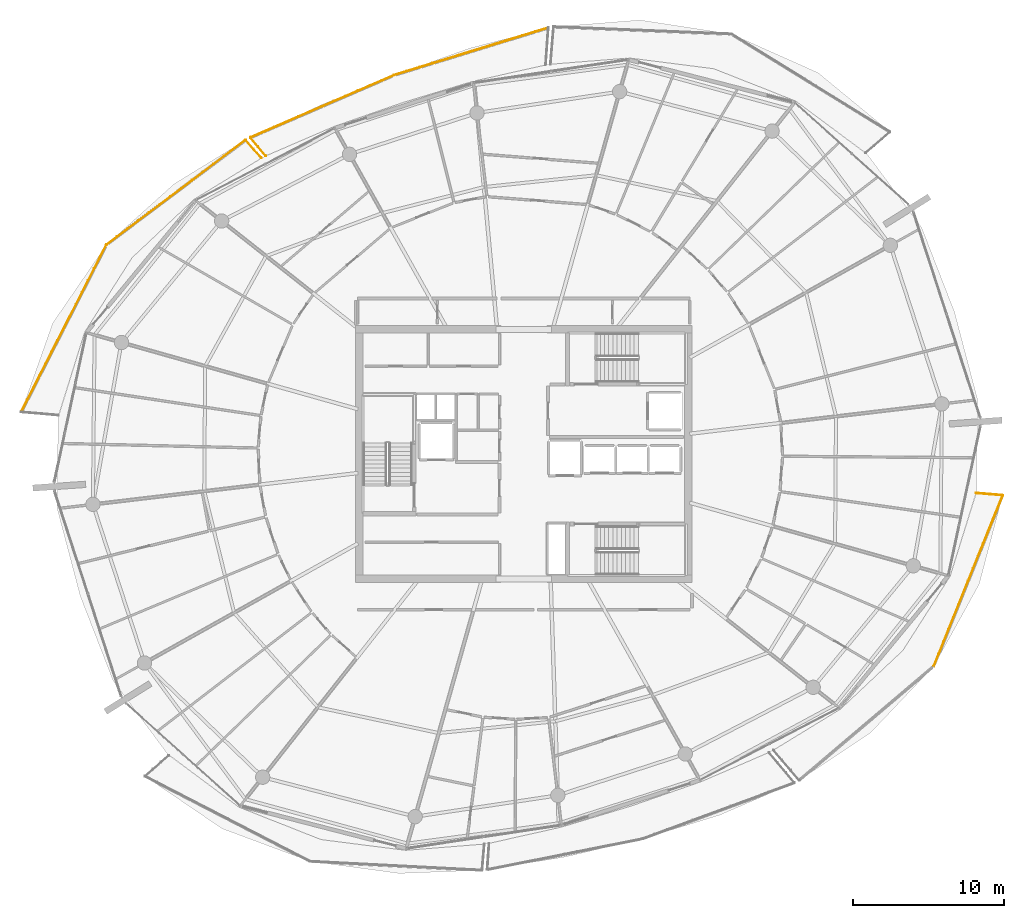
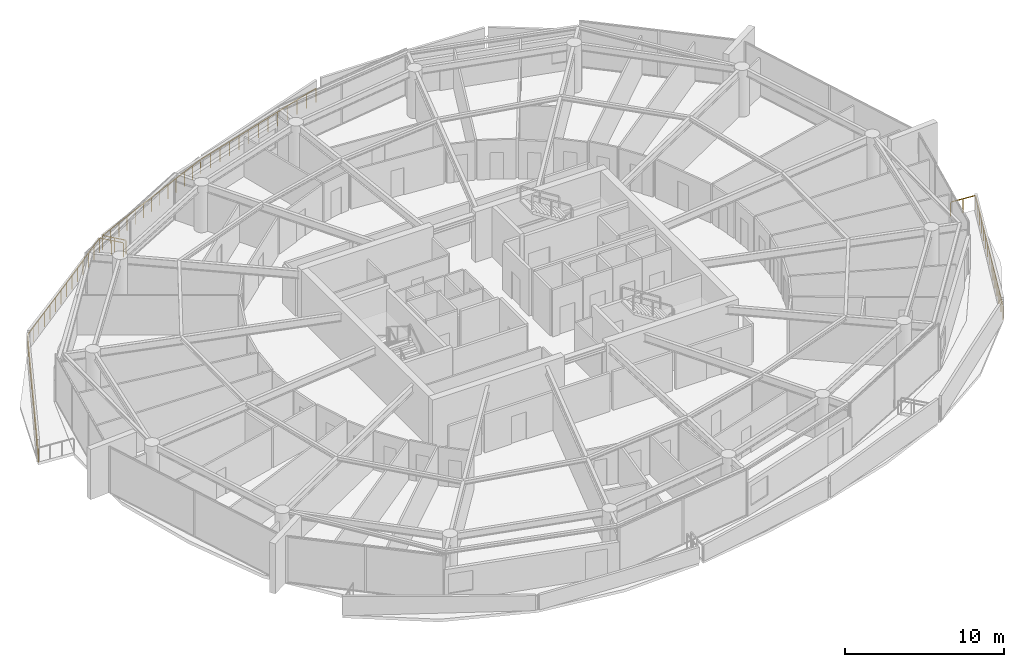
# One storey, part 27 of 29: 8 railings.
"""IFC4 building model written with IfcOpenShell, lengths in metres."""

from ifc_helpers import new_model, si_unit, direction, frame, origin, origin_2d, place, context, subcontext, project, spatial, rectangle, extrude, material, type_object, element, save


model = new_model("IFC4")

# Units and contexts
model_context = context("Model", 3, precision=1e-05, world=origin(), true_north=direction((0.0, 1.0)))
body_context = subcontext(model_context, "Body", "Model", "MODEL_VIEW")
ifc_project = project(units=[si_unit("LENGTHUNIT", "METRE"), si_unit("AREAUNIT", "SQUARE_METRE"), si_unit("VOLUMEUNIT", "CUBIC_METRE"), si_unit("PLANEANGLEUNIT", "RADIAN"), si_unit("MASSUNIT", "GRAM", prefix="KILO")], contexts=[model_context])

# Site, building, storey
site_placement = place(None, origin())
site = spatial("IfcSite", under=ifc_project, at=site_placement, CompositionType="ELEMENT")
building_placement = place(site_placement, origin())
building = spatial("IfcBuilding", under=site, at=building_placement, Name="Kazma Halo Residences", CompositionType="ELEMENT")
storey_placement = place(building_placement, frame((0.0, 0.0, 286.75)))
storey = spatial("IfcBuildingStorey", under=building, at=storey_placement, Name="L72", CompositionType="ELEMENT", Elevation=286.75)

# Railings
ifc_material = material(Name="Aluminium AW-6063 T6 Brushed Cap Rail", Category="aluminium")
railing_type = type_object("IfcRailingType", Name="RLG-BAL-CAP-1120", PredefinedType="BALUSTRADE", material=ifc_material)
railing_1_placement = place(storey_placement, frame((50.046630859375, 70.205810546875, 0.0)))
element("IfcRailing", 1, at=railing_1_placement, inside=storey, type_object=railing_type, Name="L72 NNW wave balcony guard 2", PredefinedType="BALUSTRADE", context=body_context, shape_type="SweptSolid", body=[
    extrude(rectangle(XDim=0.050048828125, YDim=0.050048828125, at=origin_2d()), frame((-0.040771484375, -0.012451171875, 1.09521484375), z_axis=(-0.955886857424, -0.293735111629, 0.0), x_axis=(0.293735111629, -0.955886857424, 0.0)), (0.0, 0.0, 1.0), 10.57861328125),
    extrude(rectangle(XDim=0.0400390625, YDim=0.0400390625, at=origin_2d()), origin(), (0.0, 0.0, 1.0), 1.05810546875),
    extrude(rectangle(XDim=0.0400390625, YDim=0.0400390625, at=origin_2d()), frame((-0.849365234375, -0.260986328125, 0.0)), (0.0, 0.0, 1.0), 1.05810546875),
    extrude(rectangle(XDim=0.0400390625, YDim=0.0400390625, at=origin_2d()), frame((-1.698974609375, -0.52197265625, 0.0)), (0.0, 0.0, 1.0), 1.05810546875),
    extrude(rectangle(XDim=0.0400390625, YDim=0.0400390625, at=origin_2d()), frame((-2.54833984375, -0.783203125, 0.0)), (0.0, 0.0, 1.0), 1.05810546875),
    extrude(rectangle(XDim=0.0400390625, YDim=0.0400390625, at=origin_2d()), frame((-3.397705078125, -1.044189453125, 0.0)), (0.0, 0.0, 1.0), 1.05810546875),
    extrude(rectangle(XDim=0.0400390625, YDim=0.0400390625, at=origin_2d()), frame((-4.247314453125, -1.30517578125, 0.0)), (0.0, 0.0, 1.0), 1.05810546875),
    extrude(rectangle(XDim=0.0400390625, YDim=0.0400390625, at=origin_2d()), frame((-5.0966796875, -1.566162109375, 0.0)), (0.0, 0.0, 1.0), 1.05810546875),
    extrude(rectangle(XDim=0.0400390625, YDim=0.0400390625, at=origin_2d()), frame((-5.946044921875, -1.8271484375, 0.0)), (0.0, 0.0, 1.0), 1.05810546875),
    extrude(rectangle(XDim=0.0400390625, YDim=0.0400390625, at=origin_2d()), frame((-6.795654296875, -2.088134765625, 0.0)), (0.0, 0.0, 1.0), 1.05810546875),
    extrude(rectangle(XDim=0.0400390625, YDim=0.0400390625, at=origin_2d()), frame((-7.64501953125, -2.34912109375, 0.0)), (0.0, 0.0, 1.0), 1.05810546875),
    extrude(rectangle(XDim=0.0400390625, YDim=0.0400390625, at=origin_2d()), frame((-8.494384765625, -2.6103515625, 0.0)), (0.0, 0.0, 1.0), 1.05810546875),
    extrude(rectangle(XDim=0.0400390625, YDim=0.0400390625, at=origin_2d()), frame((-9.343994140625, -2.871337890625, 0.0)), (0.0, 0.0, 1.0), 1.05810546875),
    extrude(rectangle(XDim=0.0400390625, YDim=0.0400390625, at=origin_2d()), frame((-10.193359375, -3.13232421875, 0.0)), (0.0, 0.0, 1.0), 1.05810546875),
])
railing_2_placement = place(storey_placement, frame((39.853271484375, 67.073486328125, 0.0)))
element("IfcRailing", 2, at=railing_2_placement, inside=storey, type_object=railing_type, Name="L72 NNW wave balcony guard 3", PredefinedType="BALUSTRADE", context=body_context, shape_type="SweptSolid", body=[
    extrude(rectangle(XDim=0.050048828125, YDim=0.050048828125, at=origin_2d()), frame((-0.0390625, -0.016845703125, 1.09521484375), z_axis=(-0.917370135076, -0.398035218632, 0.0), x_axis=(0.398035218632, -0.917370135076, 0.0)), (0.0, 0.0, 1.0), 10.29248046875),
    extrude(rectangle(XDim=0.0400390625, YDim=0.0400390625, at=origin_2d()), origin(), (0.0, 0.0, 1.0), 1.05810546875),
    extrude(rectangle(XDim=0.0400390625, YDim=0.0400390625, at=origin_2d()), frame((-0.79345703125, -0.34423828125, 0.0)), (0.0, 0.0, 1.0), 1.05810546875),
    extrude(rectangle(XDim=0.0400390625, YDim=0.0400390625, at=origin_2d()), frame((-1.586669921875, -0.6884765625, 0.0)), (0.0, 0.0, 1.0), 1.05810546875),
    extrude(rectangle(XDim=0.0400390625, YDim=0.0400390625, at=origin_2d()), frame((-2.3798828125, -1.03271484375, 0.0)), (0.0, 0.0, 1.0), 1.05810546875),
    extrude(rectangle(XDim=0.0400390625, YDim=0.0400390625, at=origin_2d()), frame((-3.17333984375, -1.376953125, 0.0)), (0.0, 0.0, 1.0), 1.05810546875),
    extrude(rectangle(XDim=0.0400390625, YDim=0.0400390625, at=origin_2d()), frame((-3.966796875, -1.72119140625, 0.0)), (0.0, 0.0, 1.0), 1.05810546875),
    extrude(rectangle(XDim=0.0400390625, YDim=0.0400390625, at=origin_2d()), frame((-4.760009765625, -2.0654296875, 0.0)), (0.0, 0.0, 1.0), 1.05810546875),
    extrude(rectangle(XDim=0.0400390625, YDim=0.0400390625, at=origin_2d()), frame((-5.55322265625, -2.409423828125, 0.0)), (0.0, 0.0, 1.0), 1.05810546875),
    extrude(rectangle(XDim=0.0400390625, YDim=0.0400390625, at=origin_2d()), frame((-6.3466796875, -2.753662109375, 0.0)), (0.0, 0.0, 1.0), 1.05810546875),
    extrude(rectangle(XDim=0.0400390625, YDim=0.0400390625, at=origin_2d()), frame((-7.14013671875, -3.097900390625, 0.0)), (0.0, 0.0, 1.0), 1.05810546875),
    extrude(rectangle(XDim=0.0400390625, YDim=0.0400390625, at=origin_2d()), frame((-7.933349609375, -3.442138671875, 0.0)), (0.0, 0.0, 1.0), 1.05810546875),
    extrude(rectangle(XDim=0.0400390625, YDim=0.0400390625, at=origin_2d()), frame((-8.7265625, -3.786376953125, 0.0)), (0.0, 0.0, 1.0), 1.05810546875),
    extrude(rectangle(XDim=0.0400390625, YDim=0.0400390625, at=origin_2d()), frame((-9.52001953125, -4.130615234375, 0.0)), (0.0, 0.0, 1.0), 1.05810546875),
])
railing_3_placement = place(storey_placement, frame((30.333251953125, 62.94287109375, 0.0)))
element("IfcRailing", 3, at=railing_3_placement, inside=storey, type_object=railing_type, Name="L72 NNW wave balcony guard 4", PredefinedType="BALUSTRADE", context=body_context, shape_type="SweptSolid", body=[
    extrude(rectangle(XDim=0.050048828125, YDim=0.050048828125, at=origin_2d()), frame((0.02734375, -0.032470703125, 1.09521484375), z_axis=(0.644823146011, -0.764331806461, 0.0), x_axis=(0.764331806461, 0.644823146011, 0.0)), (0.0, 0.0, 1.0), 1.500244140625),
    extrude(rectangle(XDim=0.0400390625, YDim=0.0400390625, at=origin_2d()), origin(), (0.0, 0.0, 1.0), 1.05810546875),
    extrude(rectangle(XDim=0.0400390625, YDim=0.0400390625, at=origin_2d()), frame((0.51123046875, -0.60595703125, 0.0)), (0.0, 0.0, 1.0), 1.05810546875),
    extrude(rectangle(XDim=0.0400390625, YDim=0.0400390625, at=origin_2d()), frame((1.022216796875, -1.211669921875, 0.0)), (0.0, 0.0, 1.0), 1.05810546875),
])
railing_4_placement = place(storey_placement, frame((31.06787109375, 61.58154296875, 0.0)))
element("IfcRailing", 4, at=railing_4_placement, inside=storey, type_object=railing_type, Name="L72 NW wave balcony guard 1", PredefinedType="BALUSTRADE", context=body_context, shape_type="SweptSolid", body=[
    extrude(rectangle(XDim=0.050048828125, YDim=0.050048828125, at=origin_2d()), frame((-0.02783203125, 0.0322265625, 1.09521484375), z_axis=(-0.654135317285, 0.756377542422, 0.0), x_axis=(-0.756377542422, -0.654135317285, 0.0)), (0.0, 0.0, 1.0), 1.505126953125),
    extrude(rectangle(XDim=0.0400390625, YDim=0.0400390625, at=origin_2d()), origin(), (0.0, 0.0, 1.0), 1.05810546875),
    extrude(rectangle(XDim=0.0400390625, YDim=0.0400390625, at=origin_2d()), frame((-0.52001953125, 0.6015625, 0.0)), (0.0, 0.0, 1.0), 1.05810546875),
    extrude(rectangle(XDim=0.0400390625, YDim=0.0400390625, at=origin_2d()), frame((-1.040283203125, 1.202880859375, 0.0)), (0.0, 0.0, 1.0), 1.05810546875),
])
railing_5_placement = place(storey_placement, frame((30.027587890625, 62.784423828125, 0.0)))
element("IfcRailing", 5, at=railing_5_placement, inside=storey, type_object=railing_type, Name="L72 NW wave balcony guard 2", PredefinedType="BALUSTRADE", context=body_context, shape_type="SweptSolid", body=[
    extrude(rectangle(XDim=0.050048828125, YDim=0.050048828125, at=origin_2d()), frame((-0.033935546875, -0.025634765625, 1.09521484375), z_axis=(-0.799153154591, -0.601127470265, 0.0), x_axis=(0.601127470265, -0.799153154591, 0.0)), (0.0, 0.0, 1.0), 11.446044921875),
    extrude(rectangle(XDim=0.0400390625, YDim=0.0400390625, at=origin_2d()), origin(), (0.0, 0.0, 1.0), 1.05810546875),
    extrude(rectangle(XDim=0.0400390625, YDim=0.0400390625, at=origin_2d()), frame((-0.708740234375, -0.533203125, 0.0)), (0.0, 0.0, 1.0), 1.05810546875),
    extrude(rectangle(XDim=0.0400390625, YDim=0.0400390625, at=origin_2d()), frame((-1.417724609375, -1.06640625, 0.0)), (0.0, 0.0, 1.0), 1.05810546875),
    extrude(rectangle(XDim=0.0400390625, YDim=0.0400390625, at=origin_2d()), frame((-2.12646484375, -1.599609375, 0.0)), (0.0, 0.0, 1.0), 1.05810546875),
    extrude(rectangle(XDim=0.0400390625, YDim=0.0400390625, at=origin_2d()), frame((-2.83544921875, -2.1328125, 0.0)), (0.0, 0.0, 1.0), 1.05810546875),
    extrude(rectangle(XDim=0.0400390625, YDim=0.0400390625, at=origin_2d()), frame((-3.544189453125, -2.666015625, 0.0)), (0.0, 0.0, 1.0), 1.05810546875),
    extrude(rectangle(XDim=0.0400390625, YDim=0.0400390625, at=origin_2d()), frame((-4.253173828125, -3.19921875, 0.0)), (0.0, 0.0, 1.0), 1.05810546875),
    extrude(rectangle(XDim=0.0400390625, YDim=0.0400390625, at=origin_2d()), frame((-4.9619140625, -3.732421875, 0.0)), (0.0, 0.0, 1.0), 1.05810546875),
    extrude(rectangle(XDim=0.0400390625, YDim=0.0400390625, at=origin_2d()), frame((-5.6708984375, -4.265625, 0.0)), (0.0, 0.0, 1.0), 1.05810546875),
    extrude(rectangle(XDim=0.0400390625, YDim=0.0400390625, at=origin_2d()), frame((-6.379638671875, -4.798828125, 0.0)), (0.0, 0.0, 1.0), 1.05810546875),
    extrude(rectangle(XDim=0.0400390625, YDim=0.0400390625, at=origin_2d()), frame((-7.088623046875, -5.33203125, 0.0)), (0.0, 0.0, 1.0), 1.05810546875),
    extrude(rectangle(XDim=0.0400390625, YDim=0.0400390625, at=origin_2d()), frame((-7.79736328125, -5.865234375, 0.0)), (0.0, 0.0, 1.0), 1.05810546875),
    extrude(rectangle(XDim=0.0400390625, YDim=0.0400390625, at=origin_2d()), frame((-8.50634765625, -6.3984375, 0.0)), (0.0, 0.0, 1.0), 1.05810546875),
    extrude(rectangle(XDim=0.0400390625, YDim=0.0400390625, at=origin_2d()), frame((-9.215087890625, -6.931640625, 0.0)), (0.0, 0.0, 1.0), 1.05810546875),
])
railing_6_placement = place(storey_placement, frame((20.8125, 55.852783203125, 0.0)))
element("IfcRailing", 6, at=railing_6_placement, inside=storey, type_object=railing_type, Name="L72 NW wave balcony guard 3", PredefinedType="BALUSTRADE", context=body_context, shape_type="SweptSolid", body=[
    extrude(rectangle(XDim=0.050048828125, YDim=0.050048828125, at=origin_2d()), frame((-0.019287109375, -0.037841796875, 1.09521484375), z_axis=(-0.453751445386, -0.891128288077, 0.0), x_axis=(0.891128288077, -0.453751445386, 0.0)), (0.0, 0.0, 1.0), 12.334716796875),
    extrude(rectangle(XDim=0.0400390625, YDim=0.0400390625, at=origin_2d()), origin(), (0.0, 0.0, 1.0), 1.05810546875),
    extrude(rectangle(XDim=0.0400390625, YDim=0.0400390625, at=origin_2d()), frame((-0.402587890625, -0.79052734375, 0.0)), (0.0, 0.0, 1.0), 1.05810546875),
    extrude(rectangle(XDim=0.0400390625, YDim=0.0400390625, at=origin_2d()), frame((-0.80517578125, -1.5810546875, 0.0)), (0.0, 0.0, 1.0), 1.05810546875),
    extrude(rectangle(XDim=0.0400390625, YDim=0.0400390625, at=origin_2d()), frame((-1.20751953125, -2.37158203125, 0.0)), (0.0, 0.0, 1.0), 1.05810546875),
    extrude(rectangle(XDim=0.0400390625, YDim=0.0400390625, at=origin_2d()), frame((-1.610107421875, -3.162109375, 0.0)), (0.0, 0.0, 1.0), 1.05810546875),
    extrude(rectangle(XDim=0.0400390625, YDim=0.0400390625, at=origin_2d()), frame((-2.0126953125, -3.95263671875, 0.0)), (0.0, 0.0, 1.0), 1.05810546875),
    extrude(rectangle(XDim=0.0400390625, YDim=0.0400390625, at=origin_2d()), frame((-2.415283203125, -4.7431640625, 0.0)), (0.0, 0.0, 1.0), 1.05810546875),
    extrude(rectangle(XDim=0.0400390625, YDim=0.0400390625, at=origin_2d()), frame((-2.81787109375, -5.53369140625, 0.0)), (0.0, 0.0, 1.0), 1.05810546875),
    extrude(rectangle(XDim=0.0400390625, YDim=0.0400390625, at=origin_2d()), frame((-3.22021484375, -6.324462890625, 0.0)), (0.0, 0.0, 1.0), 1.05810546875),
    extrude(rectangle(XDim=0.0400390625, YDim=0.0400390625, at=origin_2d()), frame((-3.622802734375, -7.114990234375, 0.0)), (0.0, 0.0, 1.0), 1.05810546875),
    extrude(rectangle(XDim=0.0400390625, YDim=0.0400390625, at=origin_2d()), frame((-4.025390625, -7.905517578125, 0.0)), (0.0, 0.0, 1.0), 1.05810546875),
    extrude(rectangle(XDim=0.0400390625, YDim=0.0400390625, at=origin_2d()), frame((-4.427978515625, -8.696044921875, 0.0)), (0.0, 0.0, 1.0), 1.05810546875),
    extrude(rectangle(XDim=0.0400390625, YDim=0.0400390625, at=origin_2d()), frame((-4.830322265625, -9.486572265625, 0.0)), (0.0, 0.0, 1.0), 1.05810546875),
    extrude(rectangle(XDim=0.0400390625, YDim=0.0400390625, at=origin_2d()), frame((-5.23291015625, -10.277099609375, 0.0)), (0.0, 0.0, 1.0), 1.05810546875),
    extrude(rectangle(XDim=0.0400390625, YDim=0.0400390625, at=origin_2d()), frame((-5.635498046875, -11.067626953125, 0.0)), (0.0, 0.0, 1.0), 1.05810546875),
])
railing_7_placement = place(storey_placement, frame((75.5419921875, 27.966552734375, 0.0)))
element("IfcRailing", 7, at=railing_7_placement, inside=storey, type_object=railing_type, Name="L72 SE wave balcony guard 3", PredefinedType="BALUSTRADE", context=body_context, shape_type="SweptSolid", body=[
    extrude(rectangle(XDim=0.050048828125, YDim=0.050048828125, at=origin_2d()), frame((0.015869140625, 0.03955078125, 1.09521484375), z_axis=(0.374095261737, 0.927390281999, 0.0), x_axis=(-0.927390281999, 0.374095261737, 0.0)), (0.0, 0.0, 1.0), 12.109619140625),
    extrude(rectangle(XDim=0.0400390625, YDim=0.0400390625, at=origin_2d()), origin(), (0.0, 0.0, 1.0), 1.05810546875),
    extrude(rectangle(XDim=0.0400390625, YDim=0.0400390625, at=origin_2d()), frame((0.325927734375, 0.807861328125, 0.0)), (0.0, 0.0, 1.0), 1.05810546875),
    extrude(rectangle(XDim=0.0400390625, YDim=0.0400390625, at=origin_2d()), frame((0.651611328125, 1.61572265625, 0.0)), (0.0, 0.0, 1.0), 1.05810546875),
    extrude(rectangle(XDim=0.0400390625, YDim=0.0400390625, at=origin_2d()), frame((0.9775390625, 2.42333984375, 0.0)), (0.0, 0.0, 1.0), 1.05810546875),
    extrude(rectangle(XDim=0.0400390625, YDim=0.0400390625, at=origin_2d()), frame((1.303466796875, 3.231201171875, 0.0)), (0.0, 0.0, 1.0), 1.05810546875),
    extrude(rectangle(XDim=0.0400390625, YDim=0.0400390625, at=origin_2d()), frame((1.62939453125, 4.0390625, 0.0)), (0.0, 0.0, 1.0), 1.05810546875),
    extrude(rectangle(XDim=0.0400390625, YDim=0.0400390625, at=origin_2d()), frame((1.955078125, 4.846923828125, 0.0)), (0.0, 0.0, 1.0), 1.05810546875),
    extrude(rectangle(XDim=0.0400390625, YDim=0.0400390625, at=origin_2d()), frame((2.281005859375, 5.65478515625, 0.0)), (0.0, 0.0, 1.0), 1.05810546875),
    extrude(rectangle(XDim=0.0400390625, YDim=0.0400390625, at=origin_2d()), frame((2.60693359375, 6.46240234375, 0.0)), (0.0, 0.0, 1.0), 1.05810546875),
    extrude(rectangle(XDim=0.0400390625, YDim=0.0400390625, at=origin_2d()), frame((2.9326171875, 7.270263671875, 0.0)), (0.0, 0.0, 1.0), 1.05810546875),
    extrude(rectangle(XDim=0.0400390625, YDim=0.0400390625, at=origin_2d()), frame((3.258544921875, 8.078125, 0.0)), (0.0, 0.0, 1.0), 1.05810546875),
    extrude(rectangle(XDim=0.0400390625, YDim=0.0400390625, at=origin_2d()), frame((3.58447265625, 8.885986328125, 0.0)), (0.0, 0.0, 1.0), 1.05810546875),
    extrude(rectangle(XDim=0.0400390625, YDim=0.0400390625, at=origin_2d()), frame((3.910400390625, 9.693603515625, 0.0)), (0.0, 0.0, 1.0), 1.05810546875),
    extrude(rectangle(XDim=0.0400390625, YDim=0.0400390625, at=origin_2d()), frame((4.236083984375, 10.50146484375, 0.0)), (0.0, 0.0, 1.0), 1.05810546875),
    extrude(rectangle(XDim=0.0400390625, YDim=0.0400390625, at=origin_2d()), frame((4.56201171875, 11.309326171875, 0.0)), (0.0, 0.0, 1.0), 1.05810546875),
])
railing_8_placement = place(storey_placement, frame((80.10400390625, 39.27587890625, 0.0)))
element("IfcRailing", 8, at=railing_8_placement, inside=storey, type_object=railing_type, Name="L72 SE wave balcony guard 4", PredefinedType="BALUSTRADE", context=body_context, shape_type="SweptSolid", body=[
    extrude(rectangle(XDim=0.050048828125, YDim=0.050048828125, at=origin_2d()), frame((-0.04248046875, 0.003662109375, 1.09521484375), z_axis=(-0.996414445327, 0.084606460419, 0.0), x_axis=(-0.084606460419, -0.996414445327, 0.0)), (0.0, 0.0, 1.0), 1.675048828125),
    extrude(rectangle(XDim=0.0400390625, YDim=0.0400390625, at=origin_2d()), origin(), (0.0, 0.0, 1.0), 1.05810546875),
    extrude(rectangle(XDim=0.0400390625, YDim=0.0400390625, at=origin_2d()), frame((-0.876953125, 0.074462890625, 0.0)), (0.0, 0.0, 1.0), 1.05810546875),
    extrude(rectangle(XDim=0.0400390625, YDim=0.0400390625, at=origin_2d()), frame((-1.75390625, 0.14892578125, 0.0)), (0.0, 0.0, 1.0), 1.05810546875),
])

save(model, "model.ifc")
